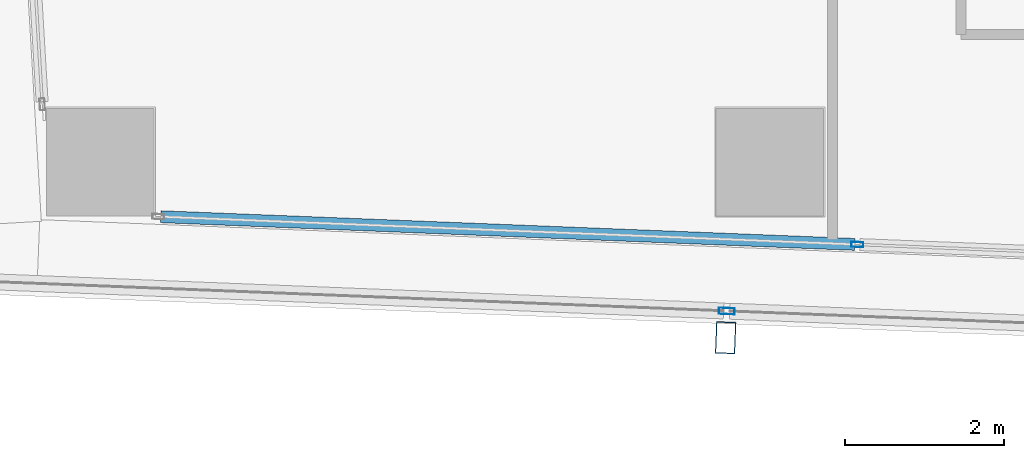
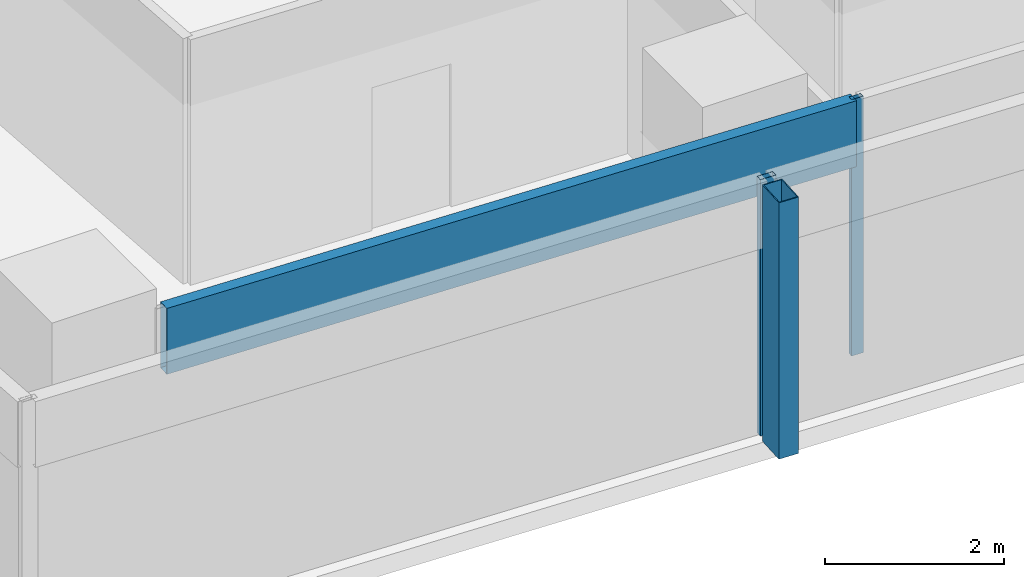
# One storey, part 3 of 39: 4 members, 2 elements without a shape of their own.
"""IFC4 building model written with IfcOpenShell, lengths in metres."""

from ifc_helpers import new_model, si_unit, direction, frame, origin, origin_2d, place, context, subcontext, project, spatial, hollow_rectangle, extrude, material, material_profile, profile_set, type_object, element, aggregate, save


model = new_model("IFC4")

# Units and contexts
model_context = context("Model", 3, precision=1e-05, world=origin(), true_north=direction((0.0, 1.0)))
body_context = subcontext(model_context, "Body", "Model", "MODEL_VIEW")
ifc_project = project(units=[si_unit("LENGTHUNIT", "METRE"), si_unit("AREAUNIT", "SQUARE_METRE"), si_unit("VOLUMEUNIT", "CUBIC_METRE"), si_unit("PLANEANGLEUNIT", "RADIAN"), si_unit("MASSUNIT", "GRAM", prefix="KILO")], contexts=[model_context])

# Site, building, storey
site_placement = place(None, origin())
site = spatial("IfcSite", under=ifc_project, at=site_placement, CompositionType="ELEMENT")
building_placement = place(site_placement, origin())
building = spatial("IfcBuilding", under=site, at=building_placement, Name="Rekha Terrace Tower", CompositionType="ELEMENT")
storey_placement = place(building_placement, frame((0.0, 0.0, 187.699951171875)))
storey = spatial("IfcBuildingStorey", under=building, at=storey_placement, Name="L47", CompositionType="ELEMENT", Elevation=187.699951171875)

# Curtain wall, member
ifc_material_1 = material(Name="Aluminium framing", Category="aluminium")
curtain_wall_type_1 = type_object("IfcCurtainWallType", Name="CW2 double skin outer glazing", PredefinedType="USERDEFINED", material=ifc_material_1)
curtain_wall_1_placement = place(storey_placement, origin())
curtain_wall_1 = element("IfcCurtainWall", 1, at=curtain_wall_1_placement, inside=storey, type_object=curtain_wall_type_1, Name="CW2 double skin outer glazing", ObjectType="DOUBLE SKIN OUTER GLAZING", PredefinedType="USERDEFINED")
ifc_material_2 = material(Name="Steel S355 with fluorocarbon finish", Category="steel")
ifc_material_profile_1 = material_profile(ifc_material_2, hollow_rectangle(XDim=0.25, YDim=0.39990234375, WallThickness=0.012451171875, at=origin_2d()), Name="RHS400x250x12.5")
ifc_profile_set_1 = profile_set([ifc_material_profile_1], Name="Steel S355 with fluorocarbon finish")
member_type_1 = type_object("IfcMemberType", Name="BL1 facade blade RHS 400 x 250", PredefinedType="USERDEFINED", material=ifc_profile_set_1)
member_1_placement = place(storey_placement, frame((16.24658203125, 14.595947265625, 0.0), z_axis=(0.0, 0.0, 1.0), x_axis=(0.999204797763, -0.039871946621, 0.0)))
member_1 = element("IfcMember", 2, at=member_1_placement, type_object=member_type_1, Name="Facade blade", ObjectType="FACADE BLADE", PredefinedType="USERDEFINED", context=body_context, shape_type="SweptSolid", body=[
    extrude(hollow_rectangle(XDim=0.25, YDim=0.39990234375, WallThickness=0.012451171875, at=origin_2d()), origin(), (0.0, 0.0, 1.0), 3.5),
])

# Curtain wall, members
curtain_wall_type_2 = type_object("IfcCurtainWallType", Name="CW1 double skin inner glazing", PredefinedType="USERDEFINED", material=ifc_material_1)
curtain_wall_2_placement = place(storey_placement, origin())
curtain_wall_2 = element("IfcCurtainWall", 3, at=curtain_wall_2_placement, inside=storey, type_object=curtain_wall_type_2, Name="CW1 double skin inner glazing", ObjectType="DOUBLE SKIN INNER GLAZING", PredefinedType="USERDEFINED")
ifc_material_3 = material(Name="Aluminium mullion section", Category="aluminium")
ifc_material_profile_2 = material_profile(ifc_material_3, hollow_rectangle(XDim=0.06494140625, YDim=0.14990234375, WallThickness=0.00390625, at=origin_2d()), Name="AL RHS 65x150")
ifc_profile_set_2 = profile_set([ifc_material_profile_2], Name="Aluminium mullion section")
member_type_2 = type_object("IfcMemberType", Name="CW1 mullion RHS 65 x 150", PredefinedType="MULLION", material=ifc_profile_set_2)
member_2_placement = place(storey_placement, frame((17.89892578125, 15.765869140625, 0.0), z_axis=(0.0, 0.0, 1.0), x_axis=(0.039872497061, 0.999204775798, 0.0)))
member_2 = element("IfcMember", 4, at=member_2_placement, type_object=member_type_2, Name="CW1 mullion 2", PredefinedType="MULLION", context=body_context, shape_type="SweptSolid", body=[
    extrude(hollow_rectangle(XDim=0.06494140625, YDim=0.14990234375, WallThickness=0.00390625, at=origin_2d()), origin(), (0.0, 0.0, 1.0), 3.5),
])
ifc_material_4 = material(Name="Insulated aluminium spandrel box", Category="aluminium")
ifc_material_profile_3 = material_profile(ifc_material_4, hollow_rectangle(XDim=0.14990234375, YDim=0.89990234375, WallThickness=0.0029296875, at=origin_2d()), Name="AL SPANDREL BOX 150x900")
ifc_profile_set_3 = profile_set([ifc_material_profile_3], Name="Insulated aluminium spandrel box")
member_type_3 = type_object("IfcMemberType", Name="CW1 spandrel transom 150 x 900", PredefinedType="USERDEFINED", material=ifc_profile_set_3)
member_3_placement = place(storey_placement, frame((9.15966796875, 16.11474609375, 3.050048828125), z_axis=(0.999204892499, -0.039869572443, 0.0), x_axis=(0.039869572443, 0.999204892499, 0.0)))
member_3 = element("IfcMember", 5, at=member_3_placement, type_object=member_type_3, Name="CW1 spandrel transom 1", ObjectType="TRANSOM", PredefinedType="USERDEFINED", context=body_context, shape_type="SweptSolid", body=[
    extrude(hollow_rectangle(XDim=0.14990234375, YDim=0.89990234375, WallThickness=0.0029296875, at=origin_2d()), origin(), (0.0, 0.0, 1.0), 8.713623046875),
])
aggregate(curtain_wall_2, [member_2, member_3])

# Member
ifc_material_profile_4 = material_profile(ifc_material_3, hollow_rectangle(XDim=0.080078125, YDim=0.199951171875, WallThickness=0.00390625, at=origin_2d()), Name="AL RHS 80x200")
ifc_profile_set_4 = profile_set([ifc_material_profile_4], Name="Aluminium mullion section")
member_type_4 = type_object("IfcMemberType", Name="CW2 mullion RHS 80 x 200", PredefinedType="MULLION", material=ifc_profile_set_4)
member_4_placement = place(storey_placement, frame((16.259765625, 14.9306640625, 0.0), z_axis=(0.0, 0.0, 1.0), x_axis=(0.039872497044, 0.999204775799, 0.0)))
member_4 = element("IfcMember", 6, at=member_4_placement, type_object=member_type_4, Name="CW2 mullion 2", PredefinedType="MULLION", context=body_context, shape_type="SweptSolid", body=[
    extrude(hollow_rectangle(XDim=0.080078125, YDim=0.199951171875, WallThickness=0.00390625, at=origin_2d()), origin(), (0.0, 0.0, 1.0), 3.5),
])

aggregate(curtain_wall_1, [member_4, member_1])

save(model, "model.ifc")
